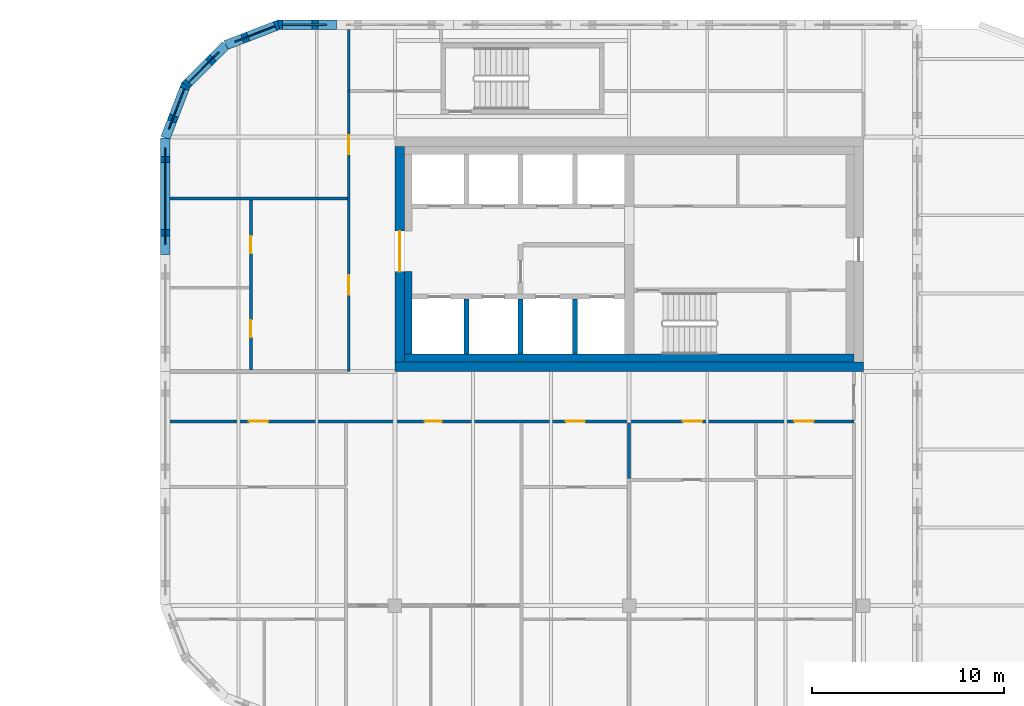
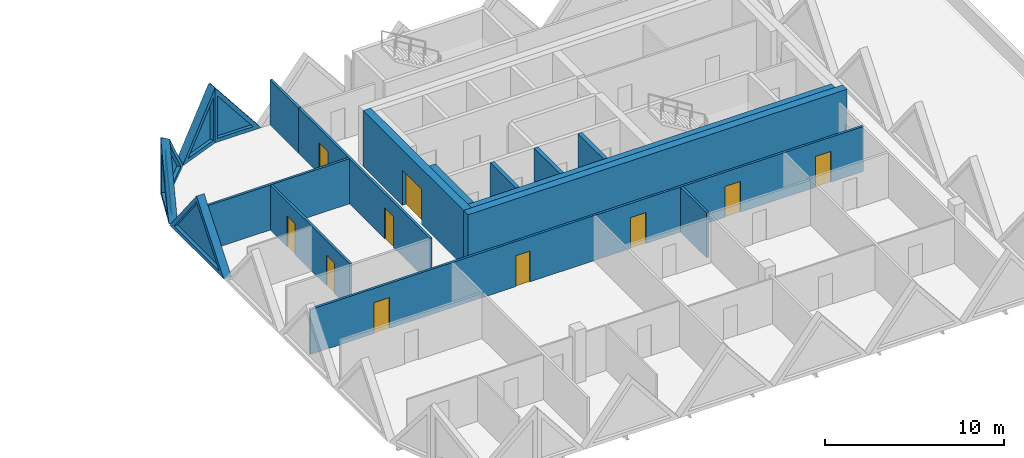
# One storey, part 13 of 18: 18 walls, 10 doors, 5 plates, 15 openings.
"""IFC4 building model written with IfcOpenShell, lengths in metres."""

import ifcopenshell
import ifcopenshell.guid

model = None  # the IFC model being written
_history = None  # IfcOwnerHistory: only IFC2X3 demands one
_inside = {}  # id of a spatial element -> (the spatial element, [elements in it])
_under = {}  # id of a project, library or spatial element -> (it, [spatial elements below it])
_declared = {}  # id of a project -> (the project, [libraries it declares])
_typed = {}  # id of a type object -> (the type object, [elements of that type])
_made_of = {}  # id of a material, layer set ... -> (it, [elements and type objects made of it])


def new_model(schema):
    """Start an empty IFC model of exactly this schema.

    Asked for "IFC4X3", IfcOpenShell would pick the latest addendum, in which some entities
    have other attributes; the version numbers below select the first issue.
    IFC2X3 requires an IfcOwnerHistory on every rooted entity: one is made here for all.
    """
    global model, _history
    if schema == "IFC4X3":
        model = ifcopenshell.file(schema_version=(4, 3, 0, 0))
    else:
        model = ifcopenshell.file(schema=schema)
    _inside.clear()
    _under.clear()
    _declared.clear()
    _typed.clear()
    _made_of.clear()
    _history = None
    if model.schema == "IFC2X3":
        org = make("IfcOrganization", Name="unknown")
        user = make(
            "IfcPersonAndOrganization",
            ThePerson=make("IfcPerson", FamilyName="unknown"),
            TheOrganization=org,
        )
        app = make(
            "IfcApplication",
            ApplicationDeveloper=org,
            Version="unknown",
            ApplicationFullName="unknown",
            ApplicationIdentifier="unknown",
        )
        _history = make(
            "IfcOwnerHistory",
            OwningUser=user,
            OwningApplication=app,
            ChangeAction="ADDED",
            CreationDate=0,
        )
    return model


def make(cls, **values):
    """One entity of the class cls with the attributes given. An attribute that is None is left unset."""
    return model.create_entity(
        cls, **{name: value for name, value in values.items() if value is not None}
    )


def rooted(cls, **values):
    """An entity with a GlobalId (a new one), such as an element, a storey or a relation."""
    return make(cls, GlobalId=ifcopenshell.guid.new(), OwnerHistory=_history, **values)


def si_unit(unit_type, name, prefix=None):
    """IfcSIUnit, for example si_unit("LENGTHUNIT", "METRE", prefix="MILLI")."""
    return make("IfcSIUnit", UnitType=unit_type, Prefix=prefix, Name=name)


def assignment(units):
    """IfcUnitAssignment: the units of a project."""
    return None if units is None else make("IfcUnitAssignment", Units=units)


def point(xyz):
    """IfcCartesianPoint."""
    return None if xyz is None else make("IfcCartesianPoint", Coordinates=xyz)


def direction(xyz):
    """IfcDirection."""
    return None if xyz is None else make("IfcDirection", DirectionRatios=xyz)


def frame(location, z_axis=None, x_axis=None):
    """IfcAxis2Placement3D, a coordinate frame: its origin and axes. An axis left out is left unset."""
    return make(
        "IfcAxis2Placement3D",
        Location=point(location),
        Axis=direction(z_axis),
        RefDirection=direction(x_axis),
    )


def frame_2d(location, x_axis=None):
    """IfcAxis2Placement2D, a coordinate frame in the plane: its origin and x axis."""
    return make(
        "IfcAxis2Placement2D", Location=point(location), RefDirection=direction(x_axis)
    )


def origin():
    """The frame at (0, 0, 0) with its axes left unset."""
    return frame((0.0, 0.0, 0.0))


def place(relative_to, where):
    """IfcLocalPlacement: puts the frame where relative to a parent placement (None: the world)."""
    return make(
        "IfcLocalPlacement", PlacementRelTo=relative_to, RelativePlacement=where
    )


def context(
    kind, dimensions, precision=None, world=None, true_north=None, identifier=None
):
    """IfcGeometricRepresentationContext, for example the 3D "Model" context."""
    return make(
        "IfcGeometricRepresentationContext",
        ContextIdentifier=identifier,
        ContextType=kind,
        CoordinateSpaceDimension=dimensions,
        Precision=precision,
        WorldCoordinateSystem=world,
        TrueNorth=true_north,
    )


def subcontext(parent, identifier, kind, view, scale=None):
    """IfcGeometricRepresentationSubContext, for example "Body" below "Model"."""
    return make(
        "IfcGeometricRepresentationSubContext",
        ContextIdentifier=identifier,
        ContextType=kind,
        ParentContext=parent,
        TargetScale=scale,
        TargetView=view,
    )


def project(units=None, contexts=None):
    """IfcProject with its units and contexts."""
    return rooted(
        "IfcProject",
        Name="project",
        RepresentationContexts=contexts,
        UnitsInContext=assignment(units),
    )


def spatial(cls, under=None, at=None, **own):
    """A site, building, storey or space (cls), placed at a placement, below another one or the project."""
    s = rooted(cls, ObjectPlacement=at, **own)
    if under is not None:
        _under.setdefault(under.id(), (under, []))[1].append(s)
    return s


def polyline(points):
    """IfcPolyline through the points."""
    return make("IfcPolyline", Points=[point(p) for p in points])


def profile(cls, at=None, kind="AREA", **sizes):
    """A parametric profile (cls). Its sizes go by their IFC names, for example OverallWidth=200.0."""
    return make(cls, ProfileType=kind, Position=at, **sizes)


def rectangle(**sizes):
    """IfcRectangleProfileDef."""
    return profile("IfcRectangleProfileDef", **sizes)


def outline(outer, holes=None, kind="AREA"):
    """IfcArbitraryClosedProfileDef: a profile drawn as a closed curve; with holes, ...WithVoids."""
    if holes is None:
        return make("IfcArbitraryClosedProfileDef", ProfileType=kind, OuterCurve=outer)
    return make(
        "IfcArbitraryProfileDefWithVoids",
        ProfileType=kind,
        OuterCurve=outer,
        InnerCurves=holes,
    )


def extrude(swept, where, along, depth):
    """IfcExtrudedAreaSolid: the profile swept, set in the frame where, extruded along a direction by depth."""
    return make(
        "IfcExtrudedAreaSolid",
        SweptArea=swept,
        Position=where,
        ExtrudedDirection=direction(along),
        Depth=depth,
    )


def faces_of(points, faces, orient=None, outer=None):
    """IfcFace entities. A face is a list of loops; a loop is a list of indices into points, from 0.

    orient and outer hold one flag for each loop. By default every Orientation is true, the
    first loop of a face is its IfcFaceOuterBound and the others are IfcFaceBound.
    """
    made = []
    for i, loops in enumerate(faces):
        bounds = []
        for j, loop in enumerate(loops):
            is_outer = j == 0 if outer is None else outer[i][j]
            bounds.append(
                make(
                    "IfcFaceOuterBound" if is_outer else "IfcFaceBound",
                    Bound=make("IfcPolyLoop", Polygon=[points[k] for k in loop]),
                    Orientation=True if orient is None else orient[i][j],
                )
            )
        made.append(make("IfcFace", Bounds=bounds))
    return made


def faceted_brep(points, faces, orient=None, outer=None, voids=None):
    """IfcFacetedBrep: a solid bounded by flat faces; with voids (closed shells), ...WithVoids."""
    shared = [point(p) for p in points]
    hull = make("IfcClosedShell", CfsFaces=faces_of(shared, faces, orient, outer))
    if voids is None:
        return make("IfcFacetedBrep", Outer=hull)
    return make(
        "IfcFacetedBrepWithVoids",
        Outer=hull,
        Voids=[
            make(cls, CfsFaces=faces_of(shared, fs, o, b)) for cls, fs, o, b in voids
        ],
    )


def shape(context_of_items, identifier, shape_type, items):
    """IfcShapeRepresentation: the items that make up one representation, for example the "Body"."""
    return make(
        "IfcShapeRepresentation",
        ContextOfItems=context_of_items,
        RepresentationIdentifier=identifier,
        RepresentationType=shape_type,
        Items=items,
    )


def source(mapping_origin, context_of_items, identifier, shape_type, items):
    """IfcRepresentationMap: a shape defined once, which mapped items show again and again."""
    return make(
        "IfcRepresentationMap",
        MappingOrigin=mapping_origin,
        MappedRepresentation=shape(context_of_items, identifier, shape_type, items),
    )


def transform(
    local_origin,
    x_axis=None,
    y_axis=None,
    z_axis=None,
    scale=None,
    scale2=None,
    scale3=None,
    uniform=True,
):
    """IfcCartesianTransformationOperator3D, or its non-uniform kind. x_axis, y_axis, z_axis: its Axis1, 2, 3."""
    if uniform:
        return make(
            "IfcCartesianTransformationOperator3D",
            Axis1=direction(x_axis),
            Axis2=direction(y_axis),
            LocalOrigin=point(local_origin),
            Scale=scale,
            Axis3=direction(z_axis),
        )
    return make(
        "IfcCartesianTransformationOperator3DnonUniform",
        Axis1=direction(x_axis),
        Axis2=direction(y_axis),
        LocalOrigin=point(local_origin),
        Scale=scale,
        Axis3=direction(z_axis),
        Scale2=scale2,
        Scale3=scale3,
    )


def mapped(mapping_source, mapping_target):
    """IfcMappedItem: shows the shape of a source again, moved by a transform."""
    return make(
        "IfcMappedItem", MappingSource=mapping_source, MappingTarget=mapping_target
    )


def material(Name=None, Category=None):
    """IfcMaterial."""
    return make("IfcMaterial", Name=Name, Category=Category)


def layer(
    of_material, thickness, ventilated=None, Name=None, Category=None, Priority=None
):
    """IfcMaterialLayer: one layer of a wall or slab, of a material (None: an air gap)."""
    return make(
        "IfcMaterialLayer",
        Material=of_material,
        LayerThickness=thickness,
        IsVentilated=ventilated,
        Name=Name,
        Category=Category,
        Priority=Priority,
    )


def layer_set(layers, Name=None):
    """IfcMaterialLayerSet."""
    return make("IfcMaterialLayerSet", MaterialLayers=layers, LayerSetName=Name)


def made_of(thing, what):
    """Note that an element or type object is made of a material, layer set ...; save() writes the relation."""
    if what is not None:
        _made_of.setdefault(what.id(), (what, []))[1].append(thing)
    return thing


def type_object(cls, material=None, **own):
    """A type object (cls), such as IfcWallType, which elements share."""
    return made_of(rooted(cls, **own), material)


def element(
    cls,
    number,
    at=None,
    inside=None,
    cuts=None,
    type_object=None,
    material=None,
    context=None,
    identifier="Body",
    shape_type=None,
    held_by="IfcProductDefinitionShape",
    body=None,
    shapes=None,
    **own,
):
    """One element of the class cls, such as IfcWall. Its Tag is "e" and its number.

    at: its placement. inside: the storey or other place that contains it. cuts: it is an
    opening in that element (IfcRelVoidsElement). A single representation is given by context,
    identifier, shape_type and body (its items); several are given by shapes. held_by: the class
    of the entity that holds the representations. save() writes the other relations.
    """
    e = rooted(cls, Tag="e%d" % number, ObjectPlacement=at, **own)
    if body is not None:
        shapes = [shape(context, identifier, shape_type, body)]
    if shapes is not None:
        e.Representation = make(held_by, Representations=shapes)
    if inside is not None:
        _inside.setdefault(inside.id(), (inside, []))[1].append(e)
    if cuts is not None:
        rooted(
            "IfcRelVoidsElement", RelatingBuildingElement=cuts, RelatedOpeningElement=e
        )
    if type_object is not None:
        _typed.setdefault(type_object.id(), (type_object, []))[1].append(e)
    return made_of(e, material)


def fill(opening, filler):
    """IfcRelFillsElement: the door or window that sits in an opening."""
    return rooted(
        "IfcRelFillsElement",
        RelatingOpeningElement=opening,
        RelatedBuildingElement=filler,
    )


def aggregate(whole, parts):
    """IfcRelAggregates: a whole, such as a stair, and the parts it consists of."""
    return rooted("IfcRelAggregates", RelatingObject=whole, RelatedObjects=parts)


def save(model, path):
    """Write the relations noted so far, then the file.

    IfcRelAggregates (storeys below a building ...), IfcRelContainedInSpatialStructure (elements
    in a storey), IfcRelDefinesByType, IfcRelAssociatesMaterial and IfcRelDeclares: one each for
    every whole, place, type object, material and project.
    """
    for whole, parts in _under.values():
        aggregate(whole, parts)
    for where, things in _inside.values():
        rooted(
            "IfcRelContainedInSpatialStructure",
            RelatedElements=things,
            RelatingStructure=where,
        )
    for kind, things in _typed.values():
        rooted("IfcRelDefinesByType", RelatedObjects=things, RelatingType=kind)
    for what, things in _made_of.values():
        rooted("IfcRelAssociatesMaterial", RelatedObjects=things, RelatingMaterial=what)
    for by, libraries in _declared.values():
        rooted("IfcRelDeclares", RelatingContext=by, RelatedDefinitions=libraries)
    model.write(path)


model = new_model("IFC4")

# Units and contexts
model_context = context("Model", 3, precision=1e-05, world=origin(), true_north=direction((0.0, 1.0)))
body_context = subcontext(model_context, "Body", "Model", "MODEL_VIEW")
ifc_project = project(units=[si_unit("LENGTHUNIT", "METRE"), si_unit("AREAUNIT", "SQUARE_METRE"), si_unit("VOLUMEUNIT", "CUBIC_METRE"), si_unit("PLANEANGLEUNIT", "RADIAN"), si_unit("MASSUNIT", "GRAM", prefix="KILO")], contexts=[model_context])

# Site, building, storey
site_placement = place(None, origin())
site = spatial("IfcSite", under=ifc_project, at=site_placement, CompositionType="ELEMENT")
building_placement = place(site_placement, origin())
building = spatial("IfcBuilding", under=site, at=building_placement, Name="Tessera Gate Towers", CompositionType="ELEMENT")
storey_placement = place(building_placement, frame((0.0, 0.0, 95.199951171875)))
storey = spatial("IfcBuildingStorey", under=building, at=storey_placement, Name="L23", CompositionType="ELEMENT", Elevation=95.199951171875)

# Walls
ifc_material_1 = material(Name="Concrete C40/50", Category="concrete")
ifc_layer_1 = layer(ifc_material_1, 0.25)
ifc_layer_set_1 = layer_set([ifc_layer_1], Name="CORE ENCLOSURE WALL 250")
wall_type_1 = type_object("IfcWallType", Name="CORE ENCLOSURE WALL 250", PredefinedType="SOLIDWALL", material=ifc_layer_set_1)
for number, where, z_axis, x_axis, name in (
    (1, (104.14990234375, 37.5, 0.0), (0.0, 0.0, 1.0), (0.0, 1.0, 0.0), "L23 shaft and stair enclosure wall"),
    (2, (101.324951171875, 37.5, 0.0), (0.0, 0.0, 1.0), (0.0, 1.0, 0.0), "L23 shaft and stair enclosure wall"),
    (3, (106.97509765625, 37.5, 0.0), (0.0, 0.0, 1.0), (0.0, 1.0, 0.0), "L23 shaft and stair enclosure wall"),
):
    element("IfcWall", number, at=place(storey_placement, frame(where, z_axis=z_axis, x_axis=x_axis)), inside=storey, type_object=wall_type_1, Name=name, PredefinedType="SOLIDWALL", context=body_context, shape_type="SweptSolid", body=[
        extrude(rectangle(XDim=2.875, YDim=0.25, at=frame_2d((1.4375, 0.0))), origin(), (0.0, 0.0, 1.0), 3.800048828125),
    ])
ifc_material_2 = material(Name="Concrete C50/60", Category="concrete")
ifc_layer_2 = layer(ifc_material_2, 0.5)
ifc_layer_set_2 = layer_set([ifc_layer_2], Name="CORE SHEAR WALL 500 C50/60")
wall_type_2 = type_object("IfcWallType", Name="CORE SHEAR WALL 500 C50/60", PredefinedType="SHEAR", material=ifc_layer_set_2)
wall_1_placement = place(storey_placement, frame((122.0, 36.85009765625, 0.0), z_axis=(0.0, 0.0, 1.0), x_axis=(-1.0, 0.0, 0.0)))
element("IfcWall", 4, at=wall_1_placement, inside=storey, type_object=wall_type_2, Name="Core wall S L23", PredefinedType="SHEAR", context=body_context, shape_type="SweptSolid", body=[
    extrude(rectangle(XDim=24.39990234375, YDim=0.5, at=frame_2d((12.199951171875, 0.0))), origin(), (0.0, 0.0, 1.0), 3.800048828125),
])

# Wall, opening, door
wall_2_placement = place(storey_placement, frame((97.85009765625, 37.10009765625, 0.0), z_axis=(0.0, 0.0, 1.0), x_axis=(0.0, 1.0, 0.0)))
wall_2 = element("IfcWall", 5, at=wall_2_placement, inside=storey, type_object=wall_type_2, Name="Core wall W L23", PredefinedType="SHEAR", context=body_context, shape_type="SweptSolid", body=[
    extrude(rectangle(XDim=11.199951171875, YDim=0.5, at=frame_2d((5.60009765625, 0.0))), origin(), (0.0, 0.0, 1.0), 3.800048828125),
])
shared_shape_1 = source(origin(), body_context, "Body", "SweptSolid", [
    extrude(rectangle(XDim=2.10009765625, YDim=2.39990234375, at=frame_2d((1.050048828125, 1.199951171875))), frame((0.0, 0.260009765625, 0.0), z_axis=(0.0, -1.0, 0.0), x_axis=(1.0, 0.0, 0.0)), (0.0, 0.0, 1.0), 0.52001953125),
])
opening_1_placement = place(wall_2_placement, frame((4.699951171875, 0.0, 0.0)))
opening_1 = element("IfcOpeningElement", 6, at=opening_1_placement, cuts=wall_2, Name="Opening DD-T2-09-01", PredefinedType="OPENING", context=body_context, shape_type="MappedRepresentation", body=[
    mapped(shared_shape_1, transform((0.0, 0.0, 0.0), scale=1.0)),
])
ifc_material_3 = material(Name="Hollow steel fire door", Category="steel")
door_type_1 = type_object("IfcDoorType", Name="CORE DOOR DD 2100x2400", OperationType="NOTDEFINED", PredefinedType="DOOR", material=ifc_material_3)
shared_shape_2 = source(origin(), body_context, "Body", "SweptSolid", [
    extrude(rectangle(XDim=2.10009765625, YDim=2.39990234375, at=frame_2d((1.050048828125, 1.199951171875))), frame((0.0, 0.02490234375, 0.0), z_axis=(0.0, -1.0, 0.0), x_axis=(1.0, 0.0, 0.0)), (0.0, 0.0, 1.0), 0.050048828125),
])
door_1_placement = place(opening_1_placement, origin())
door_1 = element("IfcDoor", 7, at=door_1_placement, inside=storey, type_object=door_type_1, Name="Core entrance door", OperationType="DOUBLE_DOOR_SINGLE_SWING", OverallHeight=2.39990234375, OverallWidth=2.10009765625, PredefinedType="DOOR", context=body_context, shape_type="MappedRepresentation", body=[
    mapped(shared_shape_2, transform((0.0, 0.0, 0.0), scale=1.0)),
])
fill(opening_1, door_1)

# Walls
ifc_material_4 = material(Name="Concrete C50/60", Category="concrete")
ifc_layer_3 = layer(ifc_material_4, 0.39990234375)
ifc_layer_set_3 = layer_set([ifc_layer_3], Name="CORE WALL THICKENING 400")
wall_type_3 = type_object("IfcWallType", Name="CORE WALL THICKENING 400", PredefinedType="SOLIDWALL", material=ifc_layer_set_3)
wall_3_placement = place(storey_placement, frame((98.10009765625, 37.300048828125, 0.0), z_axis=(0.0, 0.0, 1.0), x_axis=(1.0, 0.0, 0.0)))
element("IfcWall", 8, at=wall_3_placement, inside=storey, type_object=wall_type_3, Name="Core wall thickening S L23", PredefinedType="SOLIDWALL", context=body_context, shape_type="SweptSolid", body=[
    extrude(rectangle(XDim=23.39990234375, YDim=0.39990234375, at=frame_2d((11.699951171875, 0.0))), origin(), (0.0, 0.0, 1.0), 3.800048828125),
])
wall_4_placement = place(storey_placement, frame((98.300048828125, 37.5, 0.0), z_axis=(0.0, 0.0, 1.0), x_axis=(0.0, 1.0, 0.0)))
element("IfcWall", 9, at=wall_4_placement, inside=storey, type_object=wall_type_3, Name="Core wall thickening W L23", PredefinedType="SOLIDWALL", context=body_context, shape_type="SweptSolid", body=[
    extrude(rectangle(XDim=4.300048828125, YDim=0.39990234375, at=frame_2d((2.14990234375, 0.0))), origin(), (0.0, 0.0, 1.0), 3.800048828125),
])

# Wall, openings, doors
ifc_material_5 = material(Name="Gypsum board on steel studs, mineral wool", Category="steel")
ifc_layer_4 = layer(ifc_material_5, 0.14990234375)
ifc_layer_set_4 = layer_set([ifc_layer_4], Name="CORRIDOR WALL 150")
wall_type_4 = type_object("IfcWallType", Name="CORRIDOR WALL 150", PredefinedType="PARTITIONING", material=ifc_layer_set_4)
wall_5_placement = place(storey_placement, frame((121.5, 34.0, 0.0), z_axis=(0.0, 0.0, 1.0), x_axis=(-1.0, 0.0, 0.0)))
wall_5 = element("IfcWall", 10, at=wall_5_placement, inside=storey, type_object=wall_type_4, Name="T2-L23-PW-024", PredefinedType="PARTITIONING", context=body_context, shape_type="SweptSolid", body=[
    extrude(rectangle(XDim=35.60009765625, YDim=0.14990234375, at=frame_2d((17.800048828125, 0.0))), origin(), (0.0, 0.0, 1.0), 3.067138671875),
])
shared_shape_3 = source(origin(), body_context, "Body", "SweptSolid", [
    extrude(rectangle(XDim=1.0, YDim=2.10009765625, at=frame_2d((0.5, 1.050048828125))), frame((0.0, 0.0849609375, 0.0), z_axis=(0.0, -1.0, 0.0), x_axis=(1.0, 0.0, 0.0)), (0.0, 0.0, 1.0), 0.169921875),
])
opening_2_placement = place(wall_5_placement, frame((2.09912109375, 0.0, 0.0)))
opening_2 = element("IfcOpeningElement", 11, at=opening_2_placement, cuts=wall_5, Name="Opening D2100FD60-B10-01", PredefinedType="OPENING", context=body_context, shape_type="MappedRepresentation", body=[
    mapped(shared_shape_3, transform((0.0, 0.0, 0.0), scale=1.0)),
])
opening_3_placement = place(wall_5_placement, frame((13.9990234375, 0.0, 0.0)))
opening_3 = element("IfcOpeningElement", 12, at=opening_3_placement, cuts=wall_5, Name="Opening D2100FD60-B10-02", PredefinedType="OPENING", context=body_context, shape_type="MappedRepresentation", body=[
    mapped(shared_shape_3, transform((0.0, 0.0, 0.0), scale=1.0)),
])
opening_4_placement = place(wall_5_placement, frame((7.89990234375, 0.0, 0.0)))
opening_4 = element("IfcOpeningElement", 13, at=opening_4_placement, cuts=wall_5, Name="Opening D2100FD60-B10-04", PredefinedType="OPENING", context=body_context, shape_type="MappedRepresentation", body=[
    mapped(shared_shape_3, transform((0.0, 0.0, 0.0), scale=1.0)),
])
opening_5_placement = place(wall_5_placement, frame((30.5, 0.0, 0.0)))
opening_5 = element("IfcOpeningElement", 14, at=opening_5_placement, cuts=wall_5, Name="Opening D2100FD60-B10-05", PredefinedType="OPENING", context=body_context, shape_type="MappedRepresentation", body=[
    mapped(shared_shape_3, transform((0.0, 0.0, 0.0), scale=1.0)),
])
shared_shape_4 = source(origin(), body_context, "Body", "SweptSolid", [
    extrude(rectangle(XDim=0.89990234375, YDim=2.10009765625, at=frame_2d((0.449951171875, 1.050048828125))), frame((0.0, 0.0849609375, 0.0), z_axis=(0.0, -1.0, 0.0), x_axis=(1.0, 0.0, 0.0)), (0.0, 0.0, 1.0), 0.169921875),
])
opening_6_placement = place(wall_5_placement, frame((21.449951171875, 0.0, 0.0)))
opening_6 = element("IfcOpeningElement", 15, at=opening_6_placement, cuts=wall_5, Name="Opening D890FD60-B10-02", PredefinedType="OPENING", context=body_context, shape_type="MappedRepresentation", body=[
    mapped(shared_shape_4, transform((0.0, 0.0, 0.0), scale=1.0)),
])
ifc_material_6 = material(Name="Timber door leaf in steel frame", Category="steel")
door_type_2 = type_object("IfcDoorType", Name="CORRIDOR DOOR 900 FD60", OperationType="NOTDEFINED", PredefinedType="DOOR", material=ifc_material_6)
shared_shape_5 = source(origin(), body_context, "Body", "SweptSolid", [
    extrude(rectangle(XDim=0.89990234375, YDim=2.10009765625, at=frame_2d((0.449951171875, 1.050048828125))), frame((0.0, 0.02490234375, 0.0), z_axis=(0.0, -1.0, 0.0), x_axis=(1.0, 0.0, 0.0)), (0.0, 0.0, 1.0), 0.050048828125),
])
door_2_placement = place(opening_6_placement, origin())
door_2 = element("IfcDoor", 16, at=door_2_placement, inside=storey, type_object=door_type_2, Name="T2-L23-PD-020", OperationType="SINGLE_SWING_RIGHT", OverallHeight=2.10009765625, OverallWidth=0.89990234375, PredefinedType="DOOR", context=body_context, shape_type="MappedRepresentation", body=[
    mapped(shared_shape_5, transform((0.0, 0.0, 0.0), scale=1.0)),
])
fill(opening_6, door_2)
ifc_material_7 = material(Name="Timber door leaf in steel frame", Category="steel")
door_type_3 = type_object("IfcDoorType", Name="TENANCY ENTRANCE DOOR 1000 FD60", OperationType="NOTDEFINED", PredefinedType="DOOR", material=ifc_material_7)
shared_shape_6 = source(origin(), body_context, "Body", "SweptSolid", [
    extrude(rectangle(XDim=1.0, YDim=2.10009765625, at=frame_2d((0.5, 1.050048828125))), frame((0.0, 0.02490234375, 0.0), z_axis=(0.0, -1.0, 0.0), x_axis=(1.0, 0.0, 0.0)), (0.0, 0.0, 1.0), 0.050048828125),
])
door_3_placement = place(opening_2_placement, origin())
door_3 = element("IfcDoor", 17, at=door_3_placement, inside=storey, type_object=door_type_3, Name="T2-L23-PD-010", OperationType="SINGLE_SWING_RIGHT", OverallHeight=2.10009765625, OverallWidth=1.0, PredefinedType="DOOR", context=body_context, shape_type="MappedRepresentation", body=[
    mapped(shared_shape_6, transform((0.0, 0.0, 0.0), scale=1.0)),
])
fill(opening_2, door_3)
door_4_placement = place(opening_3_placement, origin())
door_4 = element("IfcDoor", 18, at=door_4_placement, inside=storey, type_object=door_type_3, Name="T2-L23-PD-013", OperationType="SINGLE_SWING_RIGHT", OverallHeight=2.10009765625, OverallWidth=1.0, PredefinedType="DOOR", context=body_context, shape_type="MappedRepresentation", body=[
    mapped(shared_shape_6, transform((0.0, 0.0, 0.0), scale=1.0)),
])
fill(opening_3, door_4)
door_5_placement = place(opening_4_placement, origin())
door_5 = element("IfcDoor", 19, at=door_5_placement, inside=storey, type_object=door_type_3, Name="T2-L23-PD-017", OperationType="SINGLE_SWING_RIGHT", OverallHeight=2.10009765625, OverallWidth=1.0, PredefinedType="DOOR", context=body_context, shape_type="MappedRepresentation", body=[
    mapped(shared_shape_6, transform((0.0, 0.0, 0.0), scale=1.0)),
])
fill(opening_4, door_5)
door_6_placement = place(opening_5_placement, origin())
door_6 = element("IfcDoor", 20, at=door_6_placement, inside=storey, type_object=door_type_3, Name="T2-L23-PD-018", OperationType="SINGLE_SWING_RIGHT", OverallHeight=2.10009765625, OverallWidth=1.0, PredefinedType="DOOR", context=body_context, shape_type="MappedRepresentation", body=[
    mapped(shared_shape_6, transform((0.0, 0.0, 0.0), scale=1.0)),
])
fill(opening_5, door_6)

wall_6_placement = place(storey_placement, frame((95.199951171875, 36.60009765625, 0.0), z_axis=(0.0, 0.0, 1.0), x_axis=(0.0, 1.0, 0.0)))
wall_6 = element("IfcWall", 21, at=wall_6_placement, inside=storey, type_object=wall_type_4, Name="T2-L23-PW-027", PredefinedType="PARTITIONING", context=body_context, shape_type="SweptSolid", body=[
    extrude(rectangle(XDim=14.599853515625, YDim=0.14990234375, at=frame_2d((7.2998046875, 0.0))), origin(), (0.0, 0.0, 1.0), 3.067138671875),
])
opening_7_placement = place(wall_6_placement, frame((11.301025390625, 0.0, 0.0)))
opening_7 = element("IfcOpeningElement", 22, at=opening_7_placement, cuts=wall_6, Name="Opening D2100FD60-B10-03", PredefinedType="OPENING", context=body_context, shape_type="MappedRepresentation", body=[
    mapped(shared_shape_3, transform((0.0, 0.0, 0.0), scale=1.0)),
])
opening_8_placement = place(wall_6_placement, frame((4.0, 0.0, 0.0)))
opening_8 = element("IfcOpeningElement", 23, at=opening_8_placement, cuts=wall_6, Name="Opening D2100FD60-B10-06", PredefinedType="OPENING", context=body_context, shape_type="MappedRepresentation", body=[
    mapped(shared_shape_3, transform((0.0, 0.0, 0.0), scale=1.0)),
])
door_7_placement = place(opening_7_placement, origin())
door_7 = element("IfcDoor", 24, at=door_7_placement, inside=storey, type_object=door_type_3, Name="T2-L23-PD-014", OperationType="SINGLE_SWING_LEFT", OverallHeight=2.10009765625, OverallWidth=1.0, PredefinedType="DOOR", context=body_context, shape_type="MappedRepresentation", body=[
    mapped(shared_shape_6, transform((0.0, 0.0, 0.0), scale=1.0)),
])
fill(opening_7, door_7)
door_8_placement = place(opening_8_placement, origin())
door_8 = element("IfcDoor", 25, at=door_8_placement, inside=storey, type_object=door_type_3, Name="T2-L23-PD-021", OperationType="SINGLE_SWING_LEFT", OverallHeight=2.10009765625, OverallWidth=1.0, PredefinedType="DOOR", context=body_context, shape_type="MappedRepresentation", body=[
    mapped(shared_shape_6, transform((0.0, 0.0, 0.0), scale=1.0)),
])
fill(opening_8, door_8)

# Wall
ifc_material_8 = material(Name="Gypsum board on steel studs, mineral wool", Category="steel")
ifc_layer_5 = layer(ifc_material_8, 0.14990234375)
ifc_layer_set_5 = layer_set([ifc_layer_5], Name="TENANCY WALL 150")
wall_type_5 = type_object("IfcWallType", Name="TENANCY WALL 150", PredefinedType="PARTITIONING", material=ifc_layer_set_5)
wall_7_placement = place(storey_placement, frame((109.800048828125, 31.02587890625, 0.0), z_axis=(0.0, 0.0, 1.0), x_axis=(0.0, 1.0, 0.0)))
element("IfcWall", 26, at=wall_7_placement, inside=storey, type_object=wall_type_5, Name="T2-L23-PW-021", PredefinedType="PARTITIONING", context=body_context, shape_type="SweptSolid", body=[
    extrude(rectangle(XDim=2.898193359375, YDim=0.14990234375, at=frame_2d((1.44921875, 0.0))), origin(), (0.0, 0.0, 1.0), 3.067138671875),
])

# Wall, openings, doors
wall_8_placement = place(storey_placement, frame((90.10009765625, 36.676025390625, 0.0), z_axis=(0.0, 0.0, 1.0), x_axis=(0.0, 1.0, 0.0)))
wall_8 = element("IfcWall", 27, at=wall_8_placement, inside=storey, type_object=wall_type_5, Name="T2-L23-PW-028", PredefinedType="PARTITIONING", context=body_context, shape_type="SweptSolid", body=[
    extrude(rectangle(XDim=8.847900390625, YDim=0.14990234375, at=frame_2d((4.423828125, 0.0))), origin(), (0.0, 0.0, 1.0), 3.067138671875),
])
opening_9_placement = place(wall_8_placement, frame((1.699951171875, 0.0, 0.0)))
opening_9 = element("IfcOpeningElement", 28, at=opening_9_placement, cuts=wall_8, Name="Opening D190-B10-03", PredefinedType="OPENING", context=body_context, shape_type="MappedRepresentation", body=[
    mapped(shared_shape_4, transform((0.0, 0.0, 0.0), scale=1.0)),
])
opening_10_placement = place(wall_8_placement, frame((6.07177734375, 0.0, 0.0)))
opening_10 = element("IfcOpeningElement", 29, at=opening_10_placement, cuts=wall_8, Name="Opening D190-B10-05", PredefinedType="OPENING", context=body_context, shape_type="MappedRepresentation", body=[
    mapped(shared_shape_4, transform((0.0, 0.0, 0.0), scale=1.0)),
])
ifc_material_9 = material(Name="Timber door leaf in steel frame", Category="steel")
door_type_4 = type_object("IfcDoorType", Name="INTERNAL DOOR 900 NOT RATED", OperationType="NOTDEFINED", PredefinedType="DOOR", material=ifc_material_9)
door_9_placement = place(opening_9_placement, origin())
door_9 = element("IfcDoor", 30, at=door_9_placement, inside=storey, type_object=door_type_4, Name="T2-L23-PD-003", OperationType="SINGLE_SWING_LEFT", OverallHeight=2.10009765625, OverallWidth=0.89990234375, PredefinedType="DOOR", context=body_context, shape_type="MappedRepresentation", body=[
    mapped(shared_shape_5, transform((0.0, 0.0, 0.0), scale=1.0)),
])
fill(opening_9, door_9)
door_10_placement = place(opening_10_placement, origin())
door_10 = element("IfcDoor", 31, at=door_10_placement, inside=storey, type_object=door_type_4, Name="T2-L23-PD-005", OperationType="SINGLE_SWING_LEFT", OverallHeight=2.10009765625, OverallWidth=0.89990234375, PredefinedType="DOOR", context=body_context, shape_type="MappedRepresentation", body=[
    mapped(shared_shape_5, transform((0.0, 0.0, 0.0), scale=1.0)),
])
fill(opening_10, door_10)

# Walls
wall_9_placement = place(storey_placement, frame((85.89990234375, 45.60009765625, 0.0), z_axis=(0.0, 0.0, 1.0), x_axis=(1.0, 0.0, 0.0)))
element("IfcWall", 32, at=wall_9_placement, inside=storey, type_object=wall_type_5, Name="T2-L23-PW-030", PredefinedType="PARTITIONING", context=body_context, shape_type="SweptSolid", body=[
    extrude(rectangle(XDim=9.22412109375, YDim=0.14990234375, at=frame_2d((4.612060546875, 0.0))), origin(), (0.0, 0.0, 1.0), 3.067138671875),
])
wall_10_placement = place(storey_placement, frame((95.199951171875, 51.200927734375, 0.0), z_axis=(0.0, 0.0, 1.0), x_axis=(0.0, 1.0, 0.0)))
element("IfcWall", 33, at=wall_10_placement, inside=storey, type_object=wall_type_5, Name="T2-L23-PW-032", PredefinedType="PARTITIONING", context=body_context, shape_type="SweptSolid", body=[
    extrude(rectangle(XDim=3.198974609375, YDim=0.14990234375, at=frame_2d((1.599609375, 0.0))), origin(), (0.0, 0.0, 1.0), 3.067138671875),
])

# Wall, opening, plate
ifc_material_10 = material(Name="Precast concrete C60/75 white", Category="concrete")
ifc_layer_6 = layer(ifc_material_10, 0.5)
ifc_layer_set_6 = layer_set([ifc_layer_6], Name="TS3 corner tessera")
wall_type_6 = type_object("IfcWallType", Name="TS3 corner tessera", PredefinedType="SOLIDWALL", material=ifc_layer_set_6)
shared_shape_7 = source(origin(), body_context, "Body", "Brep", [
    faceted_brep([(3.050048828125, -0.25, 3.739990234375), (3.00341796875, -0.25, 3.800048828125), (0.0, -0.25, 0.0), (3.050048828125, -0.25, 0.0), (0.0, 0.25, 0.0), (2.956787109375, 0.25, 3.7412109375), (2.956787109375, 0.25, 0.0), (3.00341796875, 0.000244140625, 3.800048828125)], [[[0, 1, 2, 3]], [[4, 5, 6]], [[7, 1, 0]], [[5, 4, 2, 1, 7]], [[4, 6, 3, 2]], [[3, 6, 5, 7, 0]]]),
])
wall_11_placement = place(storey_placement, frame((94.550048828125, 54.64990234375, 0.0), z_axis=(0.0, 0.0, 1.0), x_axis=(-1.0, 0.0, 0.0)))
wall_11 = element("IfcWall", 34, at=wall_11_placement, inside=storey, type_object=wall_type_6, Name="Precast corner tessera T2 TS3-0355", PredefinedType="SOLIDWALL", context=body_context, shape_type="MappedRepresentation", body=[
    mapped(shared_shape_7, transform((0.0, 0.0, 0.0), scale=1.0)),
])
shared_shape_8 = source(origin(), body_context, "Body", "SweptSolid", [
    extrude(outline(polyline([(2.803466796875, 3.143798828125), (0.516357421875, 0.25), (2.803466796875, 0.25), (2.803466796875, 3.143798828125)])), frame((0.0, 0.260009765625, 0.0), z_axis=(0.0, -1.0, 0.0), x_axis=(1.0, 0.0, 0.0)), (0.0, 0.0, 1.0), 0.52001953125),
])
opening_11_placement = place(wall_11_placement, origin())
opening_11 = element("IfcOpeningElement", 35, at=opening_11_placement, cuts=wall_11, Name="Opening T2-PL1-0222", PredefinedType="OPENING", context=body_context, shape_type="MappedRepresentation", body=[
    mapped(shared_shape_8, transform((0.0, 0.0, 0.0), scale=1.0)),
])
ifc_material_11 = material(Name="Low-e laminated glass", Category="glass")
ifc_layer_7 = layer(ifc_material_11, 0.06005859375)
ifc_layer_set_7 = layer_set([ifc_layer_7], Name="PL1 triangular pane")
plate_type = type_object("IfcPlateType", Name="PL1 triangular pane", PredefinedType="SHEET", material=ifc_layer_set_7)
shared_shape_9 = source(origin(), body_context, "Body", "SweptSolid", [
    extrude(outline(polyline([(2.803466796875, 3.143798828125), (0.516357421875, 0.25), (2.803466796875, 0.25), (2.803466796875, 3.143798828125)])), frame((0.0, 0.030029296875, 0.0), z_axis=(0.0, -1.0, 0.0), x_axis=(1.0, 0.0, 0.0)), (0.0, 0.0, 1.0), 0.06005859375),
])
plate_1_placement = place(opening_11_placement, origin())
plate_1 = element("IfcPlate", 36, at=plate_1_placement, inside=storey, type_object=plate_type, Name="Glass pane T2 PL1-0222", PredefinedType="SHEET", context=body_context, shape_type="MappedRepresentation", body=[
    mapped(shared_shape_9, transform((0.0, 0.0, 0.0), scale=1.0)),
])
fill(opening_11, plate_1)

shared_shape_10 = source(origin(), body_context, "Body", "Brep", [
    faceted_brep([(2.9970703125, -0.25, 3.73193359375), (2.944091796875, -0.25, 3.800048828125), (0.0, -0.25, 0.0), (2.9970703125, -0.25, 0.0), (0.052978515625, 0.25, 0.068359375), (2.89111328125, 0.25, 3.73193359375), (2.89111328125, 0.25, 0.0), (0.052978515625, 0.25, 0.0), (2.944091796875, 0.000244140625, 3.800048828125), (0.0, 0.0, 0.0)], [[[0, 1, 2, 3]], [[4, 5, 6, 7]], [[8, 1, 0]], [[5, 4, 9, 2, 1, 8]], [[7, 6, 3, 2, 9]], [[7, 9, 4]], [[3, 6, 5, 8, 0]]]),
])
wall_12_placement = place(storey_placement, frame((88.793701171875, 53.588134765625, 0.0), z_axis=(0.0, 0.0, 1.0), x_axis=(-0.707066050402, -0.707147509625, 0.0)))
wall_12 = element("IfcWall", 37, at=wall_12_placement, inside=storey, type_object=wall_type_6, Name="Precast corner tessera T2 TS3-0357", PredefinedType="SOLIDWALL", context=body_context, shape_type="MappedRepresentation", body=[
    mapped(shared_shape_10, transform((0.0, 0.0, 0.0), scale=1.0)),
])
shared_shape_11 = source(origin(), body_context, "Body", "SweptSolid", [
    extrude(outline(polyline([(2.744140625, 3.1337890625), (0.510009765625, 0.25), (2.744140625, 0.25), (2.744140625, 3.1337890625)])), frame((0.0, 0.260009765625, 0.0), z_axis=(0.0, -1.0, 0.0), x_axis=(1.0, 0.0, 0.0)), (0.0, 0.0, 1.0), 0.52001953125),
])
opening_12_placement = place(wall_12_placement, origin())
opening_12 = element("IfcOpeningElement", 38, at=opening_12_placement, cuts=wall_12, Name="Opening T2-PL1-0224", PredefinedType="OPENING", context=body_context, shape_type="MappedRepresentation", body=[
    mapped(shared_shape_11, transform((0.0, 0.0, 0.0), scale=1.0)),
])
shared_shape_12 = source(origin(), body_context, "Body", "SweptSolid", [
    extrude(outline(polyline([(2.744140625, 3.1337890625), (0.510009765625, 0.25), (2.744140625, 0.25), (2.744140625, 3.1337890625)])), frame((0.0, 0.030029296875, 0.0), z_axis=(0.0, -1.0, 0.0), x_axis=(1.0, 0.0, 0.0)), (0.0, 0.0, 1.0), 0.06005859375),
])
plate_2_placement = place(opening_12_placement, origin())
plate_2 = element("IfcPlate", 39, at=plate_2_placement, inside=storey, type_object=plate_type, Name="Glass pane T2 PL1-0224", PredefinedType="SHEET", context=body_context, shape_type="MappedRepresentation", body=[
    mapped(shared_shape_12, transform((0.0, 0.0, 0.0), scale=1.0)),
])
fill(opening_12, plate_2)

ifc_material_12 = material(Name="Precast concrete C60/75 white", Category="concrete")
ifc_layer_8 = layer(ifc_material_12, 0.5)
ifc_layer_set_8 = layer_set([ifc_layer_8], Name="TS2 half tessera")
wall_type_7 = type_object("IfcWallType", Name="TS2 half tessera", PredefinedType="SOLIDWALL", material=ifc_layer_set_8)
shared_shape_13 = source(origin(), body_context, "Body", "Brep", [
    faceted_brep([(6.053466796875, -0.25, 0.0), (3.00341796875, -0.25, 3.800048828125), (0.0, -0.25, 0.0), (0.046630859375, 0.25, 0.058837890625), (3.00341796875, 0.25, 3.800048828125), (6.053466796875, 0.25, 0.0), (0.046630859375, 0.25, 0.0), (0.0, 0.0, 0.0)], [[[0, 1, 2]], [[3, 4, 5, 6]], [[5, 4, 1, 0]], [[4, 3, 7, 2, 1]], [[6, 5, 0, 2, 7]], [[6, 7, 3]]]),
])
wall_13_placement = place(storey_placement, frame((85.64990234375, 48.75341796875, 0.0), z_axis=(0.0, 0.0, 1.0), x_axis=(0.0, -1.0, 0.0)))
wall_13 = element("IfcWall", 40, at=wall_13_placement, inside=storey, type_object=wall_type_7, Name="Precast half tessera T2 TS2-0124", PredefinedType="SOLIDWALL", context=body_context, shape_type="MappedRepresentation", body=[
    mapped(shared_shape_13, transform((0.0, 0.0, 0.0), scale=1.0)),
])
shared_shape_14 = source(origin(), body_context, "Body", "SweptSolid", [
    extrude(outline(polyline([(5.5322265625, 0.25), (3.0048828125, 3.398681640625), (0.516357421875, 0.25), (5.5322265625, 0.25)])), frame((0.0, 0.260009765625, 0.0), z_axis=(0.0, -1.0, 0.0), x_axis=(1.0, 0.0, 0.0)), (0.0, 0.0, 1.0), 0.52001953125),
])
opening_13_placement = place(wall_13_placement, origin())
opening_13 = element("IfcOpeningElement", 41, at=opening_13_placement, cuts=wall_13, Name="Opening T2-PL1-0226", PredefinedType="OPENING", context=body_context, shape_type="MappedRepresentation", body=[
    mapped(shared_shape_14, transform((0.0, 0.0, 0.0), scale=1.0)),
])
shared_shape_15 = source(origin(), body_context, "Body", "SweptSolid", [
    extrude(outline(polyline([(5.5322265625, 0.25), (3.0048828125, 3.398681640625), (0.516357421875, 0.25), (5.5322265625, 0.25)])), frame((0.0, 0.030029296875, 0.0), z_axis=(0.0, -1.0, 0.0), x_axis=(1.0, 0.0, 0.0)), (0.0, 0.0, 1.0), 0.06005859375),
])
plate_3_placement = place(opening_13_placement, origin())
plate_3 = element("IfcPlate", 42, at=plate_3_placement, inside=storey, type_object=plate_type, Name="Glass pane T2 PL1-0226", PredefinedType="SHEET", context=body_context, shape_type="MappedRepresentation", body=[
    mapped(shared_shape_15, transform((0.0, 0.0, 0.0), scale=1.0)),
])
fill(opening_13, plate_3)

shared_shape_16 = source(origin(), body_context, "Body", "Brep", [
    faceted_brep([(3.00341796875, -0.25, 0.0), (0.052978515625, -0.25, 3.800048828125), (0.0, -0.25, 3.731689453125), (0.0, -0.25, 0.0), (0.10595703125, 0.25, 3.73193359375), (2.95703125, 0.25, 0.059814453125), (2.95703125, 0.25, 0.0), (0.10595703125, 0.25, 0.0), (0.052978515625, 0.0, 3.800048828125), (3.00341796875, 0.00048828125, 0.0)], [[[0, 1, 2, 3]], [[4, 5, 6, 7]], [[5, 4, 8, 1, 0, 9]], [[2, 1, 8]], [[7, 6, 9, 0, 3]], [[7, 3, 2, 8, 4]], [[9, 6, 5]]]),
])
wall_14_placement = place(storey_placement, frame((86.73095703125, 51.5556640625, 0.0), z_axis=(0.0, 0.0, 1.0), x_axis=(-0.359855894603, -0.933007896601, 0.0)))
wall_14 = element("IfcWall", 43, at=wall_14_placement, inside=storey, type_object=wall_type_6, Name="Precast corner tessera T2 TS3-0358", PredefinedType="SOLIDWALL", context=body_context, shape_type="MappedRepresentation", body=[
    mapped(shared_shape_16, transform((0.0, 0.0, 0.0), scale=1.0)),
])
shared_shape_17 = source(origin(), body_context, "Body", "SweptSolid", [
    extrude(outline(polyline([(2.492919921875, 0.25), (0.2529296875, 3.134765625), (0.2529296875, 0.25), (2.492919921875, 0.25)])), frame((0.0, 0.260009765625, 0.0), z_axis=(0.0, -1.0, 0.0), x_axis=(1.0, 0.0, 0.0)), (0.0, 0.0, 1.0), 0.52001953125),
])
opening_14_placement = place(wall_14_placement, origin())
opening_14 = element("IfcOpeningElement", 44, at=opening_14_placement, cuts=wall_14, Name="Opening T2-PL1-0225", PredefinedType="OPENING", context=body_context, shape_type="MappedRepresentation", body=[
    mapped(shared_shape_17, transform((0.0, 0.0, 0.0), scale=1.0)),
])
shared_shape_18 = source(origin(), body_context, "Body", "SweptSolid", [
    extrude(outline(polyline([(2.492919921875, 0.25), (0.2529296875, 3.134765625), (0.2529296875, 0.25), (2.492919921875, 0.25)])), frame((0.0, 0.030029296875, 0.0), z_axis=(0.0, -1.0, 0.0), x_axis=(1.0, 0.0, 0.0)), (0.0, 0.0, 1.0), 0.06005859375),
])
plate_4_placement = place(opening_14_placement, origin())
plate_4 = element("IfcPlate", 45, at=plate_4_placement, inside=storey, type_object=plate_type, Name="Glass pane T2 PL1-0225", PredefinedType="SHEET", context=body_context, shape_type="MappedRepresentation", body=[
    mapped(shared_shape_18, transform((0.0, 0.0, 0.0), scale=1.0)),
])
fill(opening_14, plate_4)

shared_shape_19 = source(origin(), body_context, "Body", "Brep", [
    faceted_brep([(2.9970703125, -0.25, 0.0), (0.046630859375, -0.25, 3.800048828125), (0.0, -0.25, 3.7412109375), (0.0, -0.25, 0.0), (0.09326171875, 0.25, 3.739990234375), (2.9443359375, 0.25, 0.068115234375), (2.9443359375, 0.25, 0.0), (0.09326171875, 0.25, 0.0), (0.046630859375, 0.0, 3.800048828125), (2.9970703125, 0.00048828125, 0.0)], [[[0, 1, 2, 3]], [[4, 5, 6, 7]], [[5, 4, 8, 1, 0, 9]], [[2, 1, 8]], [[7, 6, 9, 0, 3]], [[7, 3, 2, 8, 4]], [[9, 6, 5]]]),
])
wall_15_placement = place(storey_placement, frame((91.590087890625, 54.666748046875, 0.0), z_axis=(0.0, 0.0, 1.0), x_axis=(-0.933000876937, -0.359874094142, 0.0)))
wall_15 = element("IfcWall", 46, at=wall_15_placement, inside=storey, type_object=wall_type_6, Name="Precast corner tessera T2 TS3-0356", PredefinedType="SOLIDWALL", context=body_context, shape_type="MappedRepresentation", body=[
    mapped(shared_shape_19, transform((0.0, 0.0, 0.0), scale=1.0)),
])
shared_shape_20 = source(origin(), body_context, "Body", "SweptSolid", [
    extrude(outline(polyline([(2.486572265625, 0.25), (0.24658203125, 3.134765625), (0.24658203125, 0.25), (2.486572265625, 0.25)])), frame((0.0, 0.260009765625, 0.0), z_axis=(0.0, -1.0, 0.0), x_axis=(1.0, 0.0, 0.0)), (0.0, 0.0, 1.0), 0.52001953125),
])
opening_15_placement = place(wall_15_placement, origin())
opening_15 = element("IfcOpeningElement", 47, at=opening_15_placement, cuts=wall_15, Name="Opening T2-PL1-0223", PredefinedType="OPENING", context=body_context, shape_type="MappedRepresentation", body=[
    mapped(shared_shape_20, transform((0.0, 0.0, 0.0), scale=1.0)),
])
shared_shape_21 = source(origin(), body_context, "Body", "SweptSolid", [
    extrude(outline(polyline([(2.486572265625, 0.25), (0.24658203125, 3.134765625), (0.24658203125, 0.25), (2.486572265625, 0.25)])), frame((0.0, 0.030029296875, 0.0), z_axis=(0.0, -1.0, 0.0), x_axis=(1.0, 0.0, 0.0)), (0.0, 0.0, 1.0), 0.06005859375),
])
plate_5_placement = place(opening_15_placement, origin())
plate_5 = element("IfcPlate", 48, at=plate_5_placement, inside=storey, type_object=plate_type, Name="Glass pane T2 PL1-0223", PredefinedType="SHEET", context=body_context, shape_type="MappedRepresentation", body=[
    mapped(shared_shape_21, transform((0.0, 0.0, 0.0), scale=1.0)),
])
fill(opening_15, plate_5)

save(model, "model.ifc")
